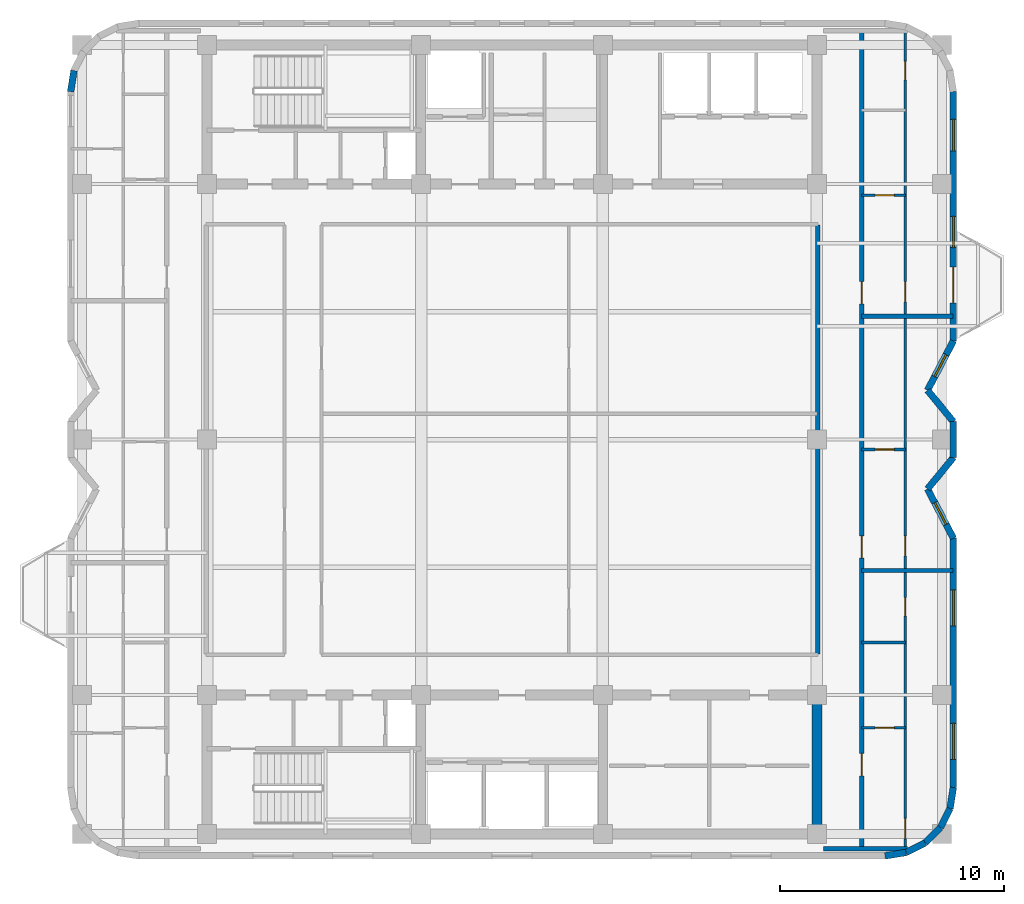
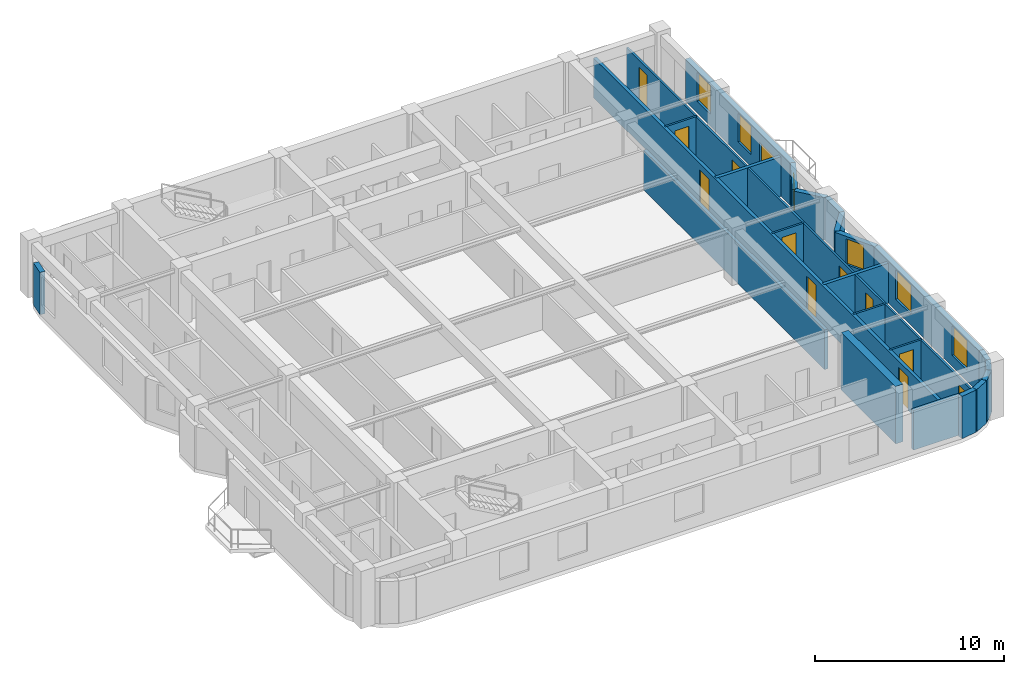
# One storey, part 5 of 9: 26 walls, 12 doors, 6 windows, 18 openings.
"""IFC4 building model written with IfcOpenShell, lengths in metres."""

from ifc_helpers import new_model, si_unit, direction, frame, frame_2d, origin, place, context, subcontext, project, spatial, rectangle, extrude, material, layer, layer_set, type_object, element, fill, save


model = new_model("IFC4")

# Units and contexts
model_context = context("Model", 3, precision=1e-05, world=origin(), true_north=direction((0.0, 1.0)))
body_context = subcontext(model_context, "Body", "Model", "MODEL_VIEW")
ifc_project = project(units=[si_unit("LENGTHUNIT", "METRE"), si_unit("AREAUNIT", "SQUARE_METRE"), si_unit("VOLUMEUNIT", "CUBIC_METRE"), si_unit("PLANEANGLEUNIT", "RADIAN"), si_unit("MASSUNIT", "GRAM", prefix="KILO")], contexts=[model_context])

# Site, building, storey
site_placement = place(None, origin())
site = spatial("IfcSite", under=ifc_project, at=site_placement, CompositionType="ELEMENT")
building_placement = place(site_placement, origin())
building = spatial("IfcBuilding", under=site, at=building_placement, Name="Svetorya Sky Lyceum", CompositionType="ELEMENT")
storey_placement = place(building_placement, frame((0.0, 0.0, 240.60009765625)))
storey = spatial("IfcBuildingStorey", under=building, at=storey_placement, Name="L60", CompositionType="ELEMENT", Elevation=240.60009765625)

# Walls
ifc_material_1 = material(Name="Concrete C50/60", Category="concrete")
ifc_layer_1 = layer(ifc_material_1, 0.449951171875)
ifc_layer_set_1 = layer_set([ifc_layer_1], Name="Concrete C50/60")
wall_type_1 = type_object("IfcWallType", Name="WL-CORE-450", PredefinedType="SHEAR", material=ifc_layer_set_1)
wall_1_placement = place(storey_placement, frame((52.800048828125, 10.824951171875, 0.0), z_axis=(0.0, 0.0, 1.0), x_axis=(0.0, 1.0, 0.0)))
element("IfcWall", 1, at=wall_1_placement, inside=storey, type_object=wall_type_1, Name="L60 SC East Core Shear Wall", PredefinedType="SHEAR", context=body_context, shape_type="SweptSolid", body=[
    extrude(rectangle(XDim=5.75, YDim=0.449951171875, at=frame_2d((2.875, 0.0))), origin(), (0.0, 0.0, 1.0), 3.699951171875),
])
ifc_material_2 = material(Name="Putilovo limestone rainscreen on autoclaved cellular masonry", Category="masonry")
ifc_layer_2 = layer(ifc_material_2, 0.300048828125)
ifc_layer_set_2 = layer_set([ifc_layer_2], Name="Putilovo limestone rainscreen on autoclaved cellular masonry")
wall_type_2 = type_object("IfcWallType", Name="WL-EXT-300", PredefinedType="SOLIDWALL", material=ifc_layer_set_2)
wall_2_placement = place(storey_placement, frame((55.840087890625, 9.6298828125, 0.0), z_axis=(0.0, 0.0, 1.0), x_axis=(0.987663181641, 0.156593229835, 0.0)))
element("IfcWall", 2, at=wall_2_placement, inside=storey, type_object=wall_type_2, Name="L60 Limestone Exterior Wall 7M", PredefinedType="SOLIDWALL", context=body_context, shape_type="SweptSolid", body=[
    extrude(rectangle(XDim=0.9541015625, YDim=0.300048828125, at=frame_2d((0.47705078125, 0.0))), origin(), (0.0, 0.0, 1.0), 2.72998046875),
])
for number, where, z_axis, x_axis, name in (
    (3, (56.782470703125, 9.779296875, 0.0), (0.0, 0.0, 1.0), (0.891076589373, 0.453852962833, 0.0), "L60 Limestone Exterior Wall 8M"),
    (4, (57.6328125, 10.21240234375, 0.0), (0.0, 0.0, 1.0), (0.707106781187, 0.707106781187, 0.0), "L60 Limestone Exterior Wall 9M"),
    (5, (58.3076171875, 10.88720703125, 0.0), (0.0, 0.0, 1.0), (0.453852962833, 0.891076589373, 0.0), "L60 Limestone Exterior Wall 10M"),
):
    element("IfcWall", number, at=place(storey_placement, frame(where, z_axis=z_axis, x_axis=x_axis)), inside=storey, type_object=wall_type_2, Name=name, PredefinedType="SOLIDWALL", context=body_context, shape_type="SweptSolid", body=[
        extrude(rectangle(XDim=0.954345703125, YDim=0.300048828125, at=frame_2d((0.47705078125, 0.0))), origin(), (0.0, 0.0, 1.0), 2.72998046875),
    ])
wall_3_placement = place(storey_placement, frame((58.74072265625, 11.737548828125, 0.0), z_axis=(0.0, 0.0, 1.0), x_axis=(0.156343617883, 0.987702725088, 0.0)))
element("IfcWall", 6, at=wall_3_placement, inside=storey, type_object=wall_type_2, Name="L60 Limestone Exterior Wall 11M", PredefinedType="SOLIDWALL", context=body_context, shape_type="SweptSolid", body=[
    extrude(rectangle(XDim=0.9541015625, YDim=0.300048828125, at=frame_2d((0.47705078125, 0.0))), origin(), (0.0, 0.0, 1.0), 2.72998046875),
])

# Wall, openings, windows
wall_4_placement = place(storey_placement, frame((58.889892578125, 12.679931640625, 0.0), z_axis=(0.0, 0.0, 1.0), x_axis=(0.0, 1.0, 0.0)))
wall_4 = element("IfcWall", 7, at=wall_4_placement, inside=storey, type_object=wall_type_2, Name="L60 Limestone Exterior Wall 12M", PredefinedType="SOLIDWALL", context=body_context, shape_type="SweptSolid", body=[
    extrude(rectangle(XDim=11.1201171875, YDim=0.300048828125, at=frame_2d((5.56005859375, 0.0))), origin(), (0.0, 0.0, 1.0), 2.72998046875),
])
opening_1_placement = place(wall_4_placement, frame((1.2548828125, 0.0, 0.7099609375)))
opening_1 = element("IfcOpeningElement", 8, at=opening_1_placement, cuts=wall_4, Name="Opening W-R4", PredefinedType="OPENING", context=body_context, shape_type="SweptSolid", body=[
    extrude(rectangle(XDim=1.60009765625, YDim=1.89990234375, at=frame_2d((0.800048828125, 0.949951171875))), frame((0.0, 0.159912109375, 0.0), z_axis=(0.0, -1.0, 0.0), x_axis=(1.0, 0.0, 0.0)), (0.0, 0.0, 1.0), 0.320068359375),
])
opening_2_placement = place(wall_4_placement, frame((7.215087890625, 0.0, 0.7099609375)))
opening_2 = element("IfcOpeningElement", 9, at=opening_2_placement, cuts=wall_4, Name="Opening W-R4", PredefinedType="OPENING", context=body_context, shape_type="SweptSolid", body=[
    extrude(rectangle(XDim=1.60009765625, YDim=1.89990234375, at=frame_2d((0.800048828125, 0.949951171875))), frame((0.0, 0.159912109375, 0.0), z_axis=(0.0, -1.0, 0.0), x_axis=(1.0, 0.0, 0.0)), (0.0, 0.0, 1.0), 0.320068359375),
])
ifc_material_3 = material(Name="Thermally broken aluminium frame with triple low-E glazing", Category="aluminium")
window_type_1 = type_object("IfcWindowType", Name="WN-RES-160", PartitioningType="DOUBLE_PANEL_VERTICAL", PredefinedType="WINDOW", material=ifc_material_3)
window_1_placement = place(opening_1_placement, origin())
window_1 = element("IfcWindow", 10, at=window_1_placement, inside=storey, type_object=window_type_1, Name="L60 Facade Window W-R4.12M.1", OverallHeight=1.89990234375, OverallWidth=1.60009765625, PartitioningType="SINGLE_PANEL", PredefinedType="WINDOW", context=body_context, shape_type="SweptSolid", body=[
    extrude(rectangle(XDim=1.60009765625, YDim=1.89990234375, at=frame_2d((0.800048828125, 0.949951171875))), frame((0.0, 0.030029296875, 0.0), z_axis=(0.0, -1.0, 0.0), x_axis=(1.0, 0.0, 0.0)), (0.0, 0.0, 1.0), 0.06005859375),
])
fill(opening_1, window_1)
window_2_placement = place(opening_2_placement, origin())
window_2 = element("IfcWindow", 11, at=window_2_placement, inside=storey, type_object=window_type_1, Name="L60 Facade Window W-R4.12M.2", OverallHeight=1.89990234375, OverallWidth=1.60009765625, PartitioningType="SINGLE_PANEL", PredefinedType="WINDOW", context=body_context, shape_type="SweptSolid", body=[
    extrude(rectangle(XDim=1.60009765625, YDim=1.89990234375, at=frame_2d((0.800048828125, 0.949951171875))), frame((0.0, 0.030029296875, 0.0), z_axis=(0.0, -1.0, 0.0), x_axis=(1.0, 0.0, 0.0)), (0.0, 0.0, 1.0), 0.06005859375),
])
fill(opening_2, window_2)

# Wall, opening, window
wall_5_placement = place(storey_placement, frame((58.889892578125, 23.800048828125, 0.0), z_axis=(0.0, 0.0, 1.0), x_axis=(-0.46323138706, 0.886237373418, 0.0)))
wall_5 = element("IfcWall", 12, at=wall_5_placement, inside=storey, type_object=wall_type_2, Name="L60 Limestone Exterior Wall 13M", PredefinedType="SOLIDWALL", context=body_context, shape_type="SweptSolid", body=[
    extrude(rectangle(XDim=2.482421875, YDim=0.300048828125, at=frame_2d((1.2412109375, 0.0))), origin(), (0.0, 0.0, 1.0), 2.72998046875),
])
opening_3_placement = place(wall_5_placement, frame((0.691162109375, 0.0, 0.919921875)))
opening_3 = element("IfcOpeningElement", 13, at=opening_3_placement, cuts=wall_5, Name="Opening W-R3", PredefinedType="OPENING", context=body_context, shape_type="SweptSolid", body=[
    extrude(rectangle(XDim=1.10009765625, YDim=1.64990234375, at=frame_2d((0.550048828125, 0.824951171875))), frame((0.0, 0.159912109375, 0.0), z_axis=(0.0, -1.0, 0.0), x_axis=(1.0, 0.0, 0.0)), (0.0, 0.0, 1.0), 0.320068359375),
])
window_type_2 = type_object("IfcWindowType", Name="WN-RES-110", PartitioningType="SINGLE_PANEL", PredefinedType="WINDOW", material=ifc_material_3)
window_3_placement = place(opening_3_placement, origin())
window_3 = element("IfcWindow", 14, at=window_3_placement, inside=storey, type_object=window_type_2, Name="L60 Facade Window W-R3.13M.1", OverallHeight=1.64990234375, OverallWidth=1.10009765625, PartitioningType="SINGLE_PANEL", PredefinedType="WINDOW", context=body_context, shape_type="SweptSolid", body=[
    extrude(rectangle(XDim=1.10009765625, YDim=1.64990234375, at=frame_2d((0.550048828125, 0.824951171875))), frame((0.0, 0.030029296875, 0.0), z_axis=(0.0, -1.0, 0.0), x_axis=(1.0, 0.0, 0.0)), (0.0, 0.0, 1.0), 0.06005859375),
])
fill(opening_3, window_3)

# Walls
wall_6_placement = place(storey_placement, frame((57.739990234375, 26.0, 0.0), z_axis=(0.0, 0.0, 1.0), x_axis=(0.634733675645, 0.772730975827, 0.0)))
element("IfcWall", 15, at=wall_6_placement, inside=storey, type_object=wall_type_2, Name="L60 Limestone Exterior Wall 14M", PredefinedType="SOLIDWALL", context=body_context, shape_type="SweptSolid", body=[
    extrude(rectangle(XDim=1.8115234375, YDim=0.300048828125, at=frame_2d((0.90576171875, 0.0))), origin(), (0.0, 0.0, 1.0), 2.72998046875),
])
wall_7_placement = place(storey_placement, frame((58.889892578125, 27.39990234375, 0.0), z_axis=(0.0, 0.0, 1.0), x_axis=(0.0, 1.0, 0.0)))
element("IfcWall", 16, at=wall_7_placement, inside=storey, type_object=wall_type_2, Name="L60 Limestone Exterior Wall 15M", PredefinedType="SOLIDWALL", context=body_context, shape_type="SweptSolid", body=[
    extrude(rectangle(XDim=1.60009765625, YDim=0.300048828125, at=frame_2d((0.800048828125, 0.0))), origin(), (0.0, 0.0, 1.0), 2.72998046875),
])
wall_8_placement = place(storey_placement, frame((58.889892578125, 29.0, 0.0), z_axis=(0.0, 0.0, 1.0), x_axis=(-0.634733675645, 0.772730975827, 0.0)))
element("IfcWall", 17, at=wall_8_placement, inside=storey, type_object=wall_type_2, Name="L60 Limestone Exterior Wall 16M", PredefinedType="SOLIDWALL", context=body_context, shape_type="SweptSolid", body=[
    extrude(rectangle(XDim=1.8115234375, YDim=0.300048828125, at=frame_2d((0.90576171875, 0.0))), origin(), (0.0, 0.0, 1.0), 2.72998046875),
])

# Wall, opening, window
wall_9_placement = place(storey_placement, frame((57.739990234375, 30.39990234375, 0.0), z_axis=(0.0, 0.0, 1.0), x_axis=(0.463191013929, 0.88625847506, 0.0)))
wall_9 = element("IfcWall", 18, at=wall_9_placement, inside=storey, type_object=wall_type_2, Name="L60 Limestone Exterior Wall 17M", PredefinedType="SOLIDWALL", context=body_context, shape_type="SweptSolid", body=[
    extrude(rectangle(XDim=2.482666015625, YDim=0.300048828125, at=frame_2d((1.2412109375, 0.0))), origin(), (0.0, 0.0, 1.0), 2.72998046875),
])
opening_4_placement = place(wall_9_placement, frame((0.691162109375, 0.0, 0.919921875)))
opening_4 = element("IfcOpeningElement", 19, at=opening_4_placement, cuts=wall_9, Name="Opening W-R3", PredefinedType="OPENING", context=body_context, shape_type="SweptSolid", body=[
    extrude(rectangle(XDim=1.10009765625, YDim=1.64990234375, at=frame_2d((0.550048828125, 0.824951171875))), frame((0.0, 0.159912109375, 0.0), z_axis=(0.0, -1.0, 0.0), x_axis=(1.0, 0.0, 0.0)), (0.0, 0.0, 1.0), 0.320068359375),
])
window_4_placement = place(opening_4_placement, origin())
window_4 = element("IfcWindow", 20, at=window_4_placement, inside=storey, type_object=window_type_2, Name="L60 Facade Window W-R3.17M.1", OverallHeight=1.64990234375, OverallWidth=1.10009765625, PartitioningType="SINGLE_PANEL", PredefinedType="WINDOW", context=body_context, shape_type="SweptSolid", body=[
    extrude(rectangle(XDim=1.10009765625, YDim=1.64990234375, at=frame_2d((0.550048828125, 0.824951171875))), frame((0.0, 0.030029296875, 0.0), z_axis=(0.0, -1.0, 0.0), x_axis=(1.0, 0.0, 0.0)), (0.0, 0.0, 1.0), 0.06005859375),
])
fill(opening_4, window_4)

# Wall, openings, door, windows
wall_10_placement = place(storey_placement, frame((58.889892578125, 32.60009765625, 0.0), z_axis=(0.0, 0.0, 1.0), x_axis=(0.0, 1.0, 0.0)))
wall_10 = element("IfcWall", 21, at=wall_10_placement, inside=storey, type_object=wall_type_2, Name="L60 Limestone Exterior Wall 18M", PredefinedType="SOLIDWALL", context=body_context, shape_type="SweptSolid", body=[
    extrude(rectangle(XDim=11.119873046875, YDim=0.300048828125, at=frame_2d((5.56005859375, 0.0))), origin(), (0.0, 0.0, 1.0), 2.72998046875),
])
opening_5_placement = place(wall_10_placement, frame((1.699951171875, 0.0, 0.0)))
opening_5 = element("IfcOpeningElement", 22, at=opening_5_placement, cuts=wall_10, Name="Opening D-BL1", PredefinedType="OPENING", context=body_context, shape_type="SweptSolid", body=[
    extrude(rectangle(XDim=1.60009765625, YDim=2.10009765625, at=frame_2d((0.800048828125, 1.050048828125))), frame((0.0, 0.159912109375, 0.0), z_axis=(0.0, -1.0, 0.0), x_axis=(1.0, 0.0, 0.0)), (0.0, 0.0, 1.0), 0.320068359375),
])
opening_6_placement = place(wall_10_placement, frame((4.159912109375, 0.0, 0.760009765625)))
opening_6 = element("IfcOpeningElement", 23, at=opening_6_placement, cuts=wall_10, Name="Opening W-R2", PredefinedType="OPENING", context=body_context, shape_type="SweptSolid", body=[
    extrude(rectangle(XDim=1.39990234375, YDim=1.85009765625, at=frame_2d((0.699951171875, 0.925048828125))), frame((0.0, 0.159912109375, 0.0), z_axis=(0.0, -1.0, 0.0), x_axis=(1.0, 0.0, 0.0)), (0.0, 0.0, 1.0), 0.320068359375),
])
opening_7_placement = place(wall_10_placement, frame((8.4833984375, 0.0, 0.760009765625)))
opening_7 = element("IfcOpeningElement", 24, at=opening_7_placement, cuts=wall_10, Name="Opening W-R2", PredefinedType="OPENING", context=body_context, shape_type="SweptSolid", body=[
    extrude(rectangle(XDim=1.39990234375, YDim=1.85009765625, at=frame_2d((0.699951171875, 0.925048828125))), frame((0.0, 0.159912109375, 0.0), z_axis=(0.0, -1.0, 0.0), x_axis=(1.0, 0.0, 0.0)), (0.0, 0.0, 1.0), 0.320068359375),
])
ifc_material_4 = material(Name="Insulated glazed aluminium balcony door", Category="aluminium")
door_type_1 = type_object("IfcDoorType", Name="DR-BAL-1600", OperationType="DOUBLE_DOOR_SINGLE_SWING", PredefinedType="DOOR", material=ifc_material_4)
door_1_placement = place(opening_5_placement, origin())
door_1 = element("IfcDoor", 25, at=door_1_placement, inside=storey, type_object=door_type_1, Name="L60 Balcony BAL-E1 Door", OperationType="DOUBLE_DOOR_SINGLE_SWING", OverallHeight=2.10009765625, OverallWidth=1.60009765625, PredefinedType="DOOR", context=body_context, shape_type="SweptSolid", body=[
    extrude(rectangle(XDim=1.60009765625, YDim=2.10009765625, at=frame_2d((0.800048828125, 1.050048828125))), frame((0.0, 0.02490234375, 0.0), z_axis=(0.0, -1.0, 0.0), x_axis=(1.0, 0.0, 0.0)), (0.0, 0.0, 1.0), 0.050048828125),
])
fill(opening_5, door_1)
window_type_3 = type_object("IfcWindowType", Name="WN-RES-140", PartitioningType="SINGLE_PANEL", PredefinedType="WINDOW", material=ifc_material_3)
window_5_placement = place(opening_6_placement, origin())
window_5 = element("IfcWindow", 26, at=window_5_placement, inside=storey, type_object=window_type_3, Name="L60 Facade Window W-R2.18M.1", OverallHeight=1.85009765625, OverallWidth=1.39990234375, PartitioningType="SINGLE_PANEL", PredefinedType="WINDOW", context=body_context, shape_type="SweptSolid", body=[
    extrude(rectangle(XDim=1.39990234375, YDim=1.85009765625, at=frame_2d((0.699951171875, 0.925048828125))), frame((0.0, 0.030029296875, 0.0), z_axis=(0.0, -1.0, 0.0), x_axis=(1.0, 0.0, 0.0)), (0.0, 0.0, 1.0), 0.06005859375),
])
fill(opening_6, window_5)
window_6_placement = place(opening_7_placement, origin())
window_6 = element("IfcWindow", 27, at=window_6_placement, inside=storey, type_object=window_type_3, Name="L60 Facade Window W-R2.18M.2", OverallHeight=1.85009765625, OverallWidth=1.39990234375, PartitioningType="SINGLE_PANEL", PredefinedType="WINDOW", context=body_context, shape_type="SweptSolid", body=[
    extrude(rectangle(XDim=1.39990234375, YDim=1.85009765625, at=frame_2d((0.699951171875, 0.925048828125))), frame((0.0, 0.030029296875, 0.0), z_axis=(0.0, -1.0, 0.0), x_axis=(1.0, 0.0, 0.0)), (0.0, 0.0, 1.0), 0.06005859375),
])
fill(opening_7, window_6)

# Wall
wall_11_placement = place(storey_placement, frame((19.6591796875, 44.66259765625, 0.0), z_axis=(0.0, 0.0, 1.0), x_axis=(-0.156304114255, -0.987708977314, 0.0)))
element("IfcWall", 28, at=wall_11_placement, inside=storey, type_object=wall_type_2, Name="L60 Limestone Exterior Wall 29M", PredefinedType="SOLIDWALL", context=body_context, shape_type="SweptSolid", body=[
    extrude(rectangle(XDim=0.954345703125, YDim=0.300048828125, at=frame_2d((0.47705078125, 0.0))), origin(), (0.0, 0.0, 1.0), 2.72998046875),
])

# Wall, opening, door
ifc_material_5 = material(Name="Twin-stud galvanized framing with double fireboard", Category="gypsum")
ifc_layer_3 = layer(ifc_material_5, 0.1201171875)
ifc_layer_set_3 = layer_set([ifc_layer_3], Name="Twin-stud galvanized framing with double fireboard")
wall_type_3 = type_object("IfcWallType", Name="WL-PART-120", PredefinedType="PARTITIONING", material=ifc_layer_set_3)
wall_12_placement = place(storey_placement, frame((54.800048828125, 15.35009765625, 0.0), z_axis=(0.0, 0.0, 1.0), x_axis=(1.0, 0.0, 0.0)))
wall_12 = element("IfcWall", 29, at=wall_12_placement, inside=storey, type_object=wall_type_3, Name="L60 Interior Partition E1-WH1", PredefinedType="PARTITIONING", context=body_context, shape_type="SweptSolid", body=[
    extrude(rectangle(XDim=1.949951171875, YDim=0.1201171875, at=frame_2d((0.97509765625, 0.0))), origin(), (0.0, 0.0, 1.0), 2.559814453125),
])
opening_8_placement = place(wall_12_placement, frame((0.60009765625, 0.0, 0.0)))
opening_8 = element("IfcOpeningElement", 30, at=opening_8_placement, cuts=wall_12, Name="Opening D-BT1", PredefinedType="OPENING", context=body_context, shape_type="SweptSolid", body=[
    extrude(rectangle(XDim=0.85009765625, YDim=2.10009765625, at=frame_2d((0.425048828125, 1.050048828125))), frame((0.0, 0.070068359375, 0.0), z_axis=(0.0, -1.0, 0.0), x_axis=(1.0, 0.0, 0.0)), (0.0, 0.0, 1.0), 0.14013671875),
])
ifc_material_6 = material(Name="Moisture-resistant laminate bathroom door")
door_type_2 = type_object("IfcDoorType", Name="DR-WET-850", OperationType="SINGLE_SWING_LEFT", PredefinedType="DOOR", material=ifc_material_6)
door_2_placement = place(opening_8_placement, origin())
door_2 = element("IfcDoor", 31, at=door_2_placement, inside=storey, type_object=door_type_2, Name="Apartment E1 Bathroom Door", OperationType="SINGLE_SWING_RIGHT", OverallHeight=2.10009765625, OverallWidth=0.85009765625, PredefinedType="DOOR", context=body_context, shape_type="SweptSolid", body=[
    extrude(rectangle(XDim=0.85009765625, YDim=2.10009765625, at=frame_2d((0.425048828125, 1.050048828125))), frame((0.0, 0.02490234375, 0.0), z_axis=(0.0, -1.0, 0.0), x_axis=(1.0, 0.0, 0.0)), (0.0, 0.0, 1.0), 0.050048828125),
])
fill(opening_8, door_2)

# Wall
wall_13_placement = place(storey_placement, frame((54.800048828125, 19.14990234375, 0.0), z_axis=(0.0, 0.0, 1.0), x_axis=(1.0, 0.0, 0.0)))
element("IfcWall", 32, at=wall_13_placement, inside=storey, type_object=wall_type_3, Name="L60 Interior Partition E1-WH2", PredefinedType="PARTITIONING", context=body_context, shape_type="SweptSolid", body=[
    extrude(rectangle(XDim=1.949951171875, YDim=0.1201171875, at=frame_2d((0.97509765625, 0.0))), origin(), (0.0, 0.0, 1.0), 2.559814453125),
])

# Wall, openings, doors
wall_14_placement = place(storey_placement, frame((56.75, 9.989990234375, 0.0), z_axis=(0.0, 0.0, 1.0), x_axis=(0.0, 1.0, 0.0)))
wall_14 = element("IfcWall", 33, at=wall_14_placement, inside=storey, type_object=wall_type_3, Name="L60 Interior Partition E1-WV", PredefinedType="PARTITIONING", context=body_context, shape_type="SweptSolid", body=[
    extrude(rectangle(XDim=12.330078125, YDim=0.1201171875, at=frame_2d((6.1650390625, 0.0))), origin(), (0.0, 0.0, 1.0), 2.559814453125),
])
opening_9_placement = place(wall_14_placement, frame((0.409912109375, 0.0, 0.0)))
opening_9 = element("IfcOpeningElement", 34, at=opening_9_placement, cuts=wall_14, Name="Opening D-RM1", PredefinedType="OPENING", context=body_context, shape_type="SweptSolid", body=[
    extrude(rectangle(XDim=0.89990234375, YDim=2.10009765625, at=frame_2d((0.449951171875, 1.050048828125))), frame((0.0, 0.070068359375, 0.0), z_axis=(0.0, -1.0, 0.0), x_axis=(1.0, 0.0, 0.0)), (0.0, 0.0, 1.0), 0.14013671875),
])
opening_10_placement = place(wall_14_placement, frame((10.340087890625, 0.0, 0.0)))
opening_10 = element("IfcOpeningElement", 35, at=opening_10_placement, cuts=wall_14, Name="Opening D-BT2", PredefinedType="OPENING", context=body_context, shape_type="SweptSolid", body=[
    extrude(rectangle(XDim=0.820068359375, YDim=2.080078125, at=frame_2d((0.41015625, 1.0400390625))), frame((0.0, 0.070068359375, 0.0), z_axis=(0.0, -1.0, 0.0), x_axis=(1.0, 0.0, 0.0)), (0.0, 0.0, 1.0), 0.14013671875),
])
ifc_material_7 = material(Name="Lacquered birch veneer internal door")
door_type_3 = type_object("IfcDoorType", Name="DR-INT-900", OperationType="SINGLE_SWING_LEFT", PredefinedType="DOOR", material=ifc_material_7)
door_3_placement = place(opening_9_placement, origin())
door_3 = element("IfcDoor", 36, at=door_3_placement, inside=storey, type_object=door_type_3, Name="Apartment E1 Living Door", OperationType="SINGLE_SWING_LEFT", OverallHeight=2.10009765625, OverallWidth=0.89990234375, PredefinedType="DOOR", context=body_context, shape_type="SweptSolid", body=[
    extrude(rectangle(XDim=0.89990234375, YDim=2.10009765625, at=frame_2d((0.449951171875, 1.050048828125))), frame((0.0, 0.02490234375, 0.0), z_axis=(0.0, -1.0, 0.0), x_axis=(1.0, 0.0, 0.0)), (0.0, 0.0, 1.0), 0.050048828125),
])
fill(opening_9, door_3)
ifc_material_8 = material(Name="Compact moisture-resistant laminate closet door")
door_type_4 = type_object("IfcDoorType", Name="DR-WET-820", OperationType="SINGLE_SWING_LEFT", PredefinedType="DOOR", material=ifc_material_8)
door_4_placement = place(opening_10_placement, origin())
door_4 = element("IfcDoor", 37, at=door_4_placement, inside=storey, type_object=door_type_4, Name="Apartment E1 Study Door", OperationType="SINGLE_SWING_RIGHT", OverallHeight=2.080078125, OverallWidth=0.820068359375, PredefinedType="DOOR", context=body_context, shape_type="SweptSolid", body=[
    extrude(rectangle(XDim=0.820068359375, YDim=2.080078125, at=frame_2d((0.41015625, 1.0400390625))), frame((0.0, 0.02490234375, 0.0), z_axis=(0.0, -1.0, 0.0), x_axis=(1.0, 0.0, 0.0)), (0.0, 0.0, 1.0), 0.050048828125),
])
fill(opening_10, door_4)

# Wall, opening, door
wall_15_placement = place(storey_placement, frame((54.800048828125, 27.760009765625, 0.0), z_axis=(0.0, 0.0, 1.0), x_axis=(1.0, 0.0, 0.0)))
wall_15 = element("IfcWall", 38, at=wall_15_placement, inside=storey, type_object=wall_type_3, Name="L60 Interior Partition E2-WH1", PredefinedType="PARTITIONING", context=body_context, shape_type="SweptSolid", body=[
    extrude(rectangle(XDim=1.949951171875, YDim=0.1201171875, at=frame_2d((0.97509765625, 0.0))), origin(), (0.0, 0.0, 1.0), 2.559814453125),
])
opening_11_placement = place(wall_15_placement, frame((0.60009765625, 0.0, 0.0)))
opening_11 = element("IfcOpeningElement", 39, at=opening_11_placement, cuts=wall_15, Name="Opening D-BT1", PredefinedType="OPENING", context=body_context, shape_type="SweptSolid", body=[
    extrude(rectangle(XDim=0.85009765625, YDim=2.10009765625, at=frame_2d((0.425048828125, 1.050048828125))), frame((0.0, 0.070068359375, 0.0), z_axis=(0.0, -1.0, 0.0), x_axis=(1.0, 0.0, 0.0)), (0.0, 0.0, 1.0), 0.14013671875),
])
door_5_placement = place(opening_11_placement, origin())
door_5 = element("IfcDoor", 40, at=door_5_placement, inside=storey, type_object=door_type_2, Name="Apartment E2 Bathroom Door", OperationType="SINGLE_SWING_LEFT", OverallHeight=2.10009765625, OverallWidth=0.85009765625, PredefinedType="DOOR", context=body_context, shape_type="SweptSolid", body=[
    extrude(rectangle(XDim=0.85009765625, YDim=2.10009765625, at=frame_2d((0.425048828125, 1.050048828125))), frame((0.0, 0.02490234375, 0.0), z_axis=(0.0, -1.0, 0.0), x_axis=(1.0, 0.0, 0.0)), (0.0, 0.0, 1.0), 0.050048828125),
])
fill(opening_11, door_5)

wall_16_placement = place(storey_placement, frame((56.75, 22.39990234375, 0.0), z_axis=(0.0, 0.0, 1.0), x_axis=(0.0, 1.0, 0.0)))
wall_16 = element("IfcWall", 41, at=wall_16_placement, inside=storey, type_object=wall_type_3, Name="L60 Interior Partition E2-WV", PredefinedType="PARTITIONING", context=body_context, shape_type="SweptSolid", body=[
    extrude(rectangle(XDim=11.260009765625, YDim=0.1201171875, at=frame_2d((5.6298828125, 0.0))), origin(), (0.0, 0.0, 1.0), 2.559814453125),
])
opening_12_placement = place(wall_16_placement, frame((0.610107421875, 0.0, 0.0)))
opening_12 = element("IfcOpeningElement", 42, at=opening_12_placement, cuts=wall_16, Name="Opening D-RM1", PredefinedType="OPENING", context=body_context, shape_type="SweptSolid", body=[
    extrude(rectangle(XDim=0.89990234375, YDim=2.10009765625, at=frame_2d((0.449951171875, 1.050048828125))), frame((0.0, 0.070068359375, 0.0), z_axis=(0.0, -1.0, 0.0), x_axis=(1.0, 0.0, 0.0)), (0.0, 0.0, 1.0), 0.14013671875),
])
door_6_placement = place(opening_12_placement, origin())
door_6 = element("IfcDoor", 43, at=door_6_placement, inside=storey, type_object=door_type_3, Name="Apartment E2 Living Door", OperationType="SINGLE_SWING_RIGHT", OverallHeight=2.10009765625, OverallWidth=0.89990234375, PredefinedType="DOOR", context=body_context, shape_type="SweptSolid", body=[
    extrude(rectangle(XDim=0.89990234375, YDim=2.10009765625, at=frame_2d((0.449951171875, 1.050048828125))), frame((0.0, 0.02490234375, 0.0), z_axis=(0.0, -1.0, 0.0), x_axis=(1.0, 0.0, 0.0)), (0.0, 0.0, 1.0), 0.050048828125),
])
fill(opening_12, door_6)

wall_17_placement = place(storey_placement, frame((54.800048828125, 39.10009765625, 0.0), z_axis=(0.0, 0.0, 1.0), x_axis=(1.0, 0.0, 0.0)))
wall_17 = element("IfcWall", 44, at=wall_17_placement, inside=storey, type_object=wall_type_3, Name="L60 Interior Partition E3-WH1", PredefinedType="PARTITIONING", context=body_context, shape_type="SweptSolid", body=[
    extrude(rectangle(XDim=1.949951171875, YDim=0.1201171875, at=frame_2d((0.97509765625, 0.0))), origin(), (0.0, 0.0, 1.0), 2.559814453125),
])
opening_13_placement = place(wall_17_placement, frame((0.60009765625, 0.0, 0.0)))
opening_13 = element("IfcOpeningElement", 45, at=opening_13_placement, cuts=wall_17, Name="Opening D-BT1", PredefinedType="OPENING", context=body_context, shape_type="SweptSolid", body=[
    extrude(rectangle(XDim=0.85009765625, YDim=2.10009765625, at=frame_2d((0.425048828125, 1.050048828125))), frame((0.0, 0.070068359375, 0.0), z_axis=(0.0, -1.0, 0.0), x_axis=(1.0, 0.0, 0.0)), (0.0, 0.0, 1.0), 0.14013671875),
])
door_7_placement = place(opening_13_placement, origin())
door_7 = element("IfcDoor", 46, at=door_7_placement, inside=storey, type_object=door_type_2, Name="Apartment E3 Bathroom Door", OperationType="SINGLE_SWING_RIGHT", OverallHeight=2.10009765625, OverallWidth=0.85009765625, PredefinedType="DOOR", context=body_context, shape_type="SweptSolid", body=[
    extrude(rectangle(XDim=0.85009765625, YDim=2.10009765625, at=frame_2d((0.425048828125, 1.050048828125))), frame((0.0, 0.02490234375, 0.0), z_axis=(0.0, -1.0, 0.0), x_axis=(1.0, 0.0, 0.0)), (0.0, 0.0, 1.0), 0.050048828125),
])
fill(opening_13, door_7)

# Wall, openings, doors
wall_18_placement = place(storey_placement, frame((56.75, 33.739990234375, 0.0), z_axis=(0.0, 0.0, 1.0), x_axis=(0.0, 1.0, 0.0)))
wall_18 = element("IfcWall", 47, at=wall_18_placement, inside=storey, type_object=wall_type_3, Name="L60 Interior Partition E3-WV", PredefinedType="PARTITIONING", context=body_context, shape_type="SweptSolid", body=[
    extrude(rectangle(XDim=12.669921875, YDim=0.1201171875, at=frame_2d((6.3349609375, 0.0))), origin(), (0.0, 0.0, 1.0), 2.559814453125),
])
opening_14_placement = place(wall_18_placement, frame((0.610107421875, 0.0, 0.0)))
opening_14 = element("IfcOpeningElement", 48, at=opening_14_placement, cuts=wall_18, Name="Opening D-RM1", PredefinedType="OPENING", context=body_context, shape_type="SweptSolid", body=[
    extrude(rectangle(XDim=0.89990234375, YDim=2.10009765625, at=frame_2d((0.449951171875, 1.050048828125))), frame((0.0, 0.070068359375, 0.0), z_axis=(0.0, -1.0, 0.0), x_axis=(1.0, 0.0, 0.0)), (0.0, 0.0, 1.0), 0.14013671875),
])
opening_15_placement = place(wall_18_placement, frame((10.510009765625, 0.0, 0.0)))
opening_15 = element("IfcOpeningElement", 49, at=opening_15_placement, cuts=wall_18, Name="Opening D-BT2", PredefinedType="OPENING", context=body_context, shape_type="SweptSolid", body=[
    extrude(rectangle(XDim=0.820068359375, YDim=2.080078125, at=frame_2d((0.41015625, 1.0400390625))), frame((0.0, 0.070068359375, 0.0), z_axis=(0.0, -1.0, 0.0), x_axis=(1.0, 0.0, 0.0)), (0.0, 0.0, 1.0), 0.14013671875),
])
door_8_placement = place(opening_14_placement, origin())
door_8 = element("IfcDoor", 50, at=door_8_placement, inside=storey, type_object=door_type_3, Name="Apartment E3 Living Door", OperationType="SINGLE_SWING_LEFT", OverallHeight=2.10009765625, OverallWidth=0.89990234375, PredefinedType="DOOR", context=body_context, shape_type="SweptSolid", body=[
    extrude(rectangle(XDim=0.89990234375, YDim=2.10009765625, at=frame_2d((0.449951171875, 1.050048828125))), frame((0.0, 0.02490234375, 0.0), z_axis=(0.0, -1.0, 0.0), x_axis=(1.0, 0.0, 0.0)), (0.0, 0.0, 1.0), 0.050048828125),
])
fill(opening_14, door_8)
door_9_placement = place(opening_15_placement, origin())
door_9 = element("IfcDoor", 51, at=door_9_placement, inside=storey, type_object=door_type_4, Name="Apartment E3 Study Door", OperationType="SINGLE_SWING_RIGHT", OverallHeight=2.080078125, OverallWidth=0.820068359375, PredefinedType="DOOR", context=body_context, shape_type="SweptSolid", body=[
    extrude(rectangle(XDim=0.820068359375, YDim=2.080078125, at=frame_2d((0.41015625, 1.0400390625))), frame((0.0, 0.02490234375, 0.0), z_axis=(0.0, -1.0, 0.0), x_axis=(1.0, 0.0, 0.0)), (0.0, 0.0, 1.0), 0.050048828125),
])
fill(opening_15, door_9)

# Walls
ifc_material_9 = material(Name="Autoclaved cellular masonry blockwork with gypsum plaster", Category="masonry")
ifc_layer_4 = layer(ifc_material_9, 0.199951171875)
ifc_layer_set_4 = layer_set([ifc_layer_4], Name="Autoclaved cellular masonry blockwork with gypsum plaster")
wall_type_4 = type_object("IfcWallType", Name="WL-PART-200", PredefinedType="PARTITIONING", material=ifc_layer_set_4)
wall_19_placement = place(storey_placement, frame((52.85009765625, 18.6298828125, 0.0), z_axis=(0.0, 0.0, 1.0), x_axis=(0.0, 1.0, 0.0)))
element("IfcWall", 52, at=wall_19_placement, inside=storey, type_object=wall_type_4, Name="L60 Interior Partition E-CEN-SEP", PredefinedType="PARTITIONING", context=body_context, shape_type="SweptSolid", body=[
    extrude(rectangle(XDim=19.14013671875, YDim=0.199951171875, at=frame_2d((9.570068359375, 0.0))), origin(), (0.0, 0.0, 1.0), 2.559814453125),
])
for number, where, z_axis, x_axis, name in (
    (53, (54.800048828125, 22.360107421875, 0.0), (0.0, 0.0, 1.0), (1.0, 0.0, 0.0), "L60 Interior Partition E-PARTY-1"),
    (54, (54.800048828125, 33.699951171875, 0.0), (0.0, 0.0, 1.0), (1.0, 0.0, 0.0), "L60 Interior Partition E-PARTY-2"),
):
    element("IfcWall", number, at=place(storey_placement, frame(where, z_axis=z_axis, x_axis=x_axis)), inside=storey, type_object=wall_type_4, Name=name, PredefinedType="PARTITIONING", context=body_context, shape_type="SweptSolid", body=[
        extrude(rectangle(XDim=4.070068359375, YDim=0.199951171875, at=frame_2d((2.03515625, 0.0))), origin(), (0.0, 0.0, 1.0), 2.559814453125),
    ])

# Wall, openings, doors
wall_20_placement = place(storey_placement, frame((54.800048828125, 9.949951171875, 0.0), z_axis=(0.0, 0.0, 1.0), x_axis=(0.0, 1.0, 0.0)))
wall_20 = element("IfcWall", 55, at=wall_20_placement, inside=storey, type_object=wall_type_4, Name="L60 Interior Partition E-CORRW", PredefinedType="PARTITIONING", context=body_context, shape_type="SweptSolid", body=[
    extrude(rectangle(XDim=36.5, YDim=0.199951171875, at=frame_2d((18.25, 0.0))), origin(), (0.0, 0.0, 1.0), 2.559814453125),
])
opening_16_placement = place(wall_20_placement, frame((3.25, 0.0, 0.0)))
opening_16 = element("IfcOpeningElement", 56, at=opening_16_placement, cuts=wall_20, Name="Opening D-APT1", PredefinedType="OPENING", context=body_context, shape_type="SweptSolid", body=[
    extrude(rectangle(XDim=1.0, YDim=2.14990234375, at=frame_2d((0.5, 1.074951171875))), frame((0.0, 0.10986328125, 0.0), z_axis=(0.0, -1.0, 0.0), x_axis=(1.0, 0.0, 0.0)), (0.0, 0.0, 1.0), 0.219970703125),
])
opening_17_placement = place(wall_20_placement, frame((12.9599609375, 0.0, 0.0)))
opening_17 = element("IfcOpeningElement", 57, at=opening_17_placement, cuts=wall_20, Name="Opening D-APT1", PredefinedType="OPENING", context=body_context, shape_type="SweptSolid", body=[
    extrude(rectangle(XDim=1.0, YDim=2.14990234375, at=frame_2d((0.5, 1.074951171875))), frame((0.0, 0.10986328125, 0.0), z_axis=(0.0, -1.0, 0.0), x_axis=(1.0, 0.0, 0.0)), (0.0, 0.0, 1.0), 0.219970703125),
])
opening_18_placement = place(wall_20_placement, frame((24.300048828125, 0.0, 0.0)))
opening_18 = element("IfcOpeningElement", 58, at=opening_18_placement, cuts=wall_20, Name="Opening D-APT1", PredefinedType="OPENING", context=body_context, shape_type="SweptSolid", body=[
    extrude(rectangle(XDim=1.0, YDim=2.14990234375, at=frame_2d((0.5, 1.074951171875))), frame((0.0, 0.10986328125, 0.0), z_axis=(0.0, -1.0, 0.0), x_axis=(1.0, 0.0, 0.0)), (0.0, 0.0, 1.0), 0.219970703125),
])
ifc_material_10 = material(Name="Insulated oak-veneered apartment entrance door")
door_type_5 = type_object("IfcDoorType", Name="DR-APT-1000", OperationType="SINGLE_SWING_LEFT", PredefinedType="DOOR", material=ifc_material_10)
door_10_placement = place(opening_16_placement, origin())
door_10 = element("IfcDoor", 59, at=door_10_placement, inside=storey, type_object=door_type_5, Name="L60 Apartment E1 Entrance Door", OperationType="SINGLE_SWING_RIGHT", OverallHeight=2.14990234375, OverallWidth=1.0, PredefinedType="DOOR", context=body_context, shape_type="SweptSolid", body=[
    extrude(rectangle(XDim=1.0, YDim=2.14990234375, at=frame_2d((0.5, 1.074951171875))), frame((0.0, 0.02490234375, 0.0), z_axis=(0.0, -1.0, 0.0), x_axis=(1.0, 0.0, 0.0)), (0.0, 0.0, 1.0), 0.050048828125),
])
fill(opening_16, door_10)
door_11_placement = place(opening_17_placement, origin())
door_11 = element("IfcDoor", 60, at=door_11_placement, inside=storey, type_object=door_type_5, Name="L60 Apartment E2 Entrance Door", OperationType="SINGLE_SWING_LEFT", OverallHeight=2.14990234375, OverallWidth=1.0, PredefinedType="DOOR", context=body_context, shape_type="SweptSolid", body=[
    extrude(rectangle(XDim=1.0, YDim=2.14990234375, at=frame_2d((0.5, 1.074951171875))), frame((0.0, 0.02490234375, 0.0), z_axis=(0.0, -1.0, 0.0), x_axis=(1.0, 0.0, 0.0)), (0.0, 0.0, 1.0), 0.050048828125),
])
fill(opening_17, door_11)
door_12_placement = place(opening_18_placement, origin())
door_12 = element("IfcDoor", 61, at=door_12_placement, inside=storey, type_object=door_type_5, Name="L60 Apartment E3 Entrance Door", OperationType="SINGLE_SWING_RIGHT", OverallHeight=2.14990234375, OverallWidth=1.0, PredefinedType="DOOR", context=body_context, shape_type="SweptSolid", body=[
    extrude(rectangle(XDim=1.0, YDim=2.14990234375, at=frame_2d((0.5, 1.074951171875))), frame((0.0, 0.02490234375, 0.0), z_axis=(0.0, -1.0, 0.0), x_axis=(1.0, 0.0, 0.0)), (0.0, 0.0, 1.0), 0.050048828125),
])
fill(opening_18, door_12)

# Wall
wall_21_placement = place(storey_placement, frame((53.10009765625, 9.949951171875, 0.0), z_axis=(0.0, 0.0, 1.0), x_axis=(1.0, 0.0, 0.0)))
element("IfcWall", 62, at=wall_21_placement, inside=storey, type_object=wall_type_4, Name="L60 Interior Partition E-CAP-S", PredefinedType="PARTITIONING", context=body_context, shape_type="SweptSolid", body=[
    extrude(rectangle(XDim=3.75390625, YDim=0.199951171875, at=frame_2d((1.876953125, 0.0))), origin(), (0.0, 0.0, 1.0), 2.559814453125),
])

save(model, "model.ifc")
